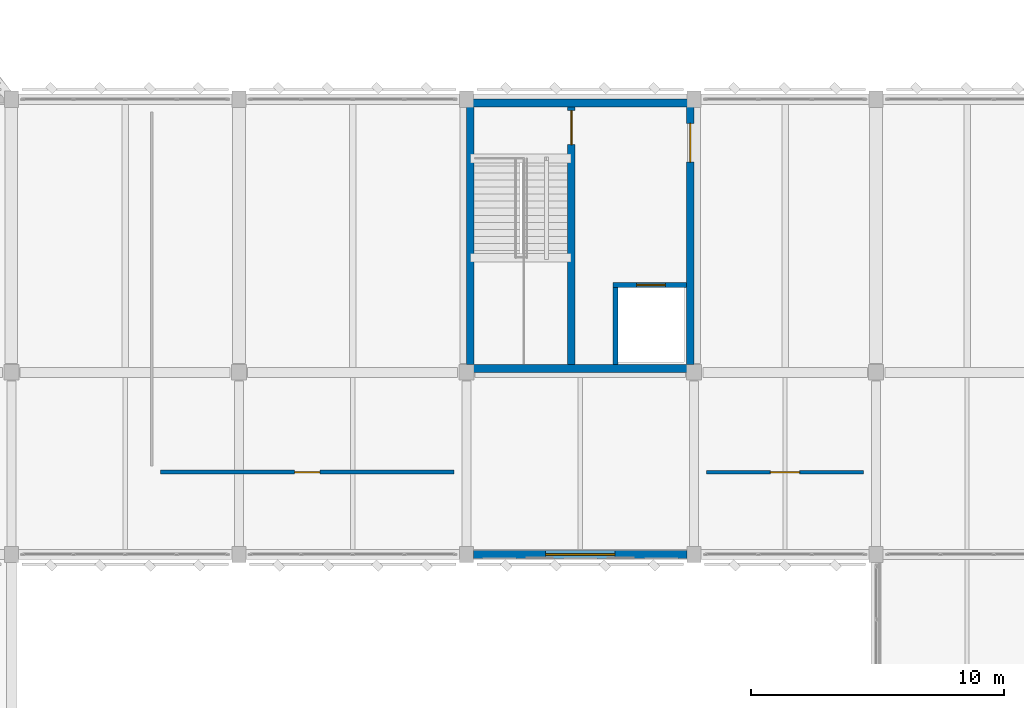
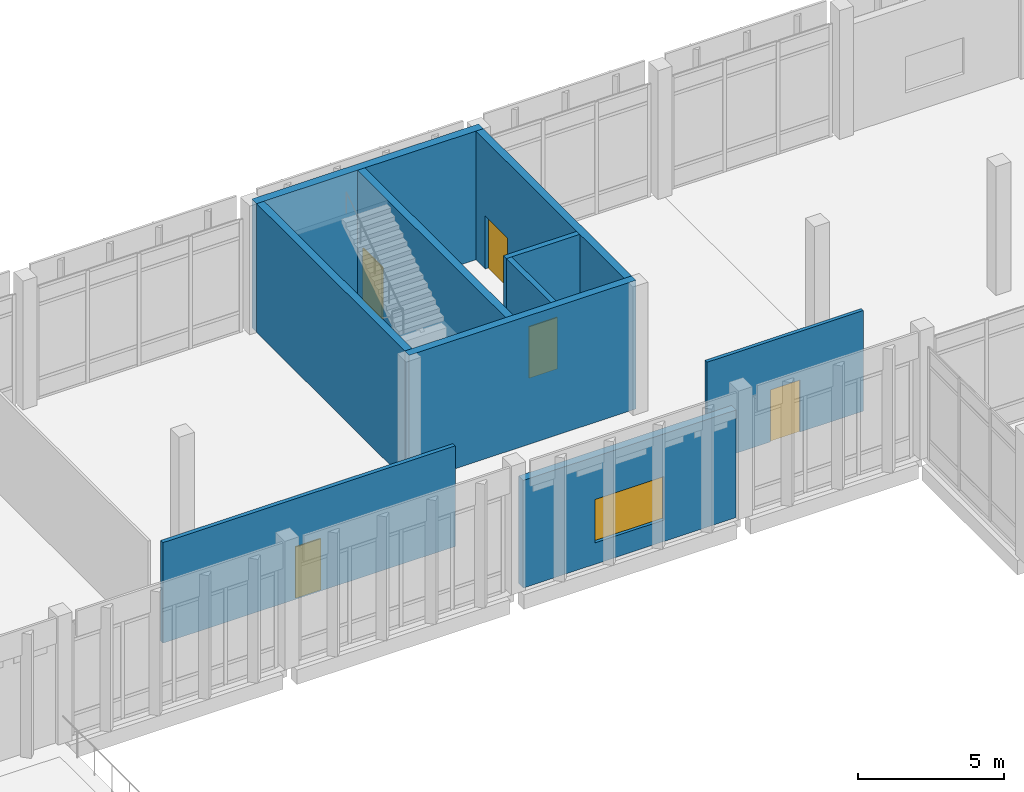
# One storey, part 160 of 180: 10 walls, 5 doors, 1 window, 6 openings.
"""IFC4 building model written with IfcOpenShell, lengths in metres."""

from ifc_helpers import new_model, si_unit, direction, frame, frame_2d, origin, place, context, subcontext, project, spatial, rectangle, extrude, material, layer, layer_set, type_object, element, fill, save


model = new_model("IFC4")

# Units and contexts
model_context = context("Model", 3, precision=1e-05, world=origin(), true_north=direction((0.0, 1.0)))
body_context = subcontext(model_context, "Body", "Model", "MODEL_VIEW")
ifc_project = project(units=[si_unit("LENGTHUNIT", "METRE"), si_unit("AREAUNIT", "SQUARE_METRE"), si_unit("VOLUMEUNIT", "CUBIC_METRE"), si_unit("PLANEANGLEUNIT", "RADIAN"), si_unit("MASSUNIT", "GRAM", prefix="KILO")], contexts=[model_context])

# Site, building, storey
site_placement = place(None, origin())
site = spatial("IfcSite", under=ifc_project, at=site_placement, CompositionType="ELEMENT")
building_placement = place(site_placement, origin())
building = spatial("IfcBuilding", under=site, at=building_placement, Name="Lusvemor Sports Hall", CompositionType="ELEMENT")
storey_placement = place(building_placement, frame((0.0, 0.0, 5.39990234375)))
storey = spatial("IfcBuildingStorey", under=building, at=storey_placement, Name="L01", CompositionType="ELEMENT", Elevation=5.39990234375)

# Wall, opening, window
ifc_material_1 = material(Name="Warm terracotta Art Nouveau ceramic cladding on Concrete C40/50 backing", Category="masonry")
ifc_layer_1 = layer(ifc_material_1, 0.31494140625)
ifc_layer_set_1 = layer_set([ifc_layer_1], Name="Warm terracotta Art Nouveau ceramic cladding on Concrete C40/50 backing")
wall_type_1 = type_object("IfcWallType", Name="EW_WING_CAV_315", PredefinedType="STANDARD", material=ifc_layer_set_1)
wall_1_placement = place(storey_placement, frame((111.323974609375, 97.199951171875, 0.0), z_axis=(0.0, 0.0, 1.0), x_axis=(-1.0, 0.0, 0.0)))
wall_1 = element("IfcWall", 1, at=wall_1_placement, inside=storey, type_object=wall_type_1, Name="Exterior Wall EW-L01-S-3-8", PredefinedType="STANDARD", context=body_context, shape_type="SweptSolid", body=[
    extrude(rectangle(XDim=8.447998046875, YDim=0.31494140625, at=frame_2d((4.22412109375, 0.0))), origin(), (0.0, 0.0, 1.0), 4.51513671875),
])
opening_1_placement = place(wall_1_placement, frame((2.85400390625, 0.0, 0.89990234375)))
opening_1 = element("IfcOpeningElement", 2, at=opening_1_placement, cuts=wall_1, Name="Opening WN20", PredefinedType="OPENING", context=body_context, shape_type="SweptSolid", body=[
    extrude(rectangle(XDim=2.739990234375, YDim=1.820068359375, at=frame_2d((1.3701171875, 0.91015625))), frame((0.0, 0.157470703125, 0.0), z_axis=(0.0, -1.0, 0.0), x_axis=(1.0, 0.0, 0.0)), (0.0, 0.0, 1.0), 0.31494140625),
])
ifc_material_2 = material(Name="Solar-control laminated double glazing", Category="glass")
window_type = type_object("IfcWindowType", Name="WIN_20", PartitioningType="SINGLE_PANEL", PredefinedType="WINDOW", material=ifc_material_2)
window_placement = place(opening_1_placement, origin())
window = element("IfcWindow", 3, at=window_placement, inside=storey, type_object=window_type, Name="Wing Window L01-S-3-8", OverallHeight=1.820068359375, OverallWidth=2.739990234375, PartitioningType="SINGLE_PANEL", PredefinedType="WINDOW", context=body_context, shape_type="SweptSolid", body=[
    extrude(rectangle(XDim=2.739990234375, YDim=1.820068359375, at=frame_2d((1.3701171875, 0.91015625))), frame((0.0, 0.030029296875, 0.0), z_axis=(0.0, -1.0, 0.0), x_axis=(1.0, 0.0, 0.0)), (0.0, 0.0, 1.0), 0.06005859375),
])
fill(opening_1, window)

# Wall, opening, door
ifc_material_3 = material(Name="Double-leaf acoustic gypsum board on metal studs")
ifc_layer_2 = layer(ifc_material_3, 0.139892578125)
ifc_layer_set_2 = layer_set([ifc_layer_2], Name="Double-leaf acoustic gypsum board on metal studs")
wall_type_2 = type_object("IfcWallType", Name="IW_PART_138", PredefinedType="STANDARD", material=ifc_layer_set_2)
wall_2_placement = place(storey_placement, frame((112.10009765625, 100.449951171875, 0.0), z_axis=(0.0, 0.0, 1.0), x_axis=(1.0, 0.0, 0.0)))
wall_2 = element("IfcWall", 4, at=wall_2_placement, inside=storey, type_object=wall_type_2, Name="Partition IW-L01-CNN-CLIN3", PredefinedType="STANDARD", context=body_context, shape_type="SweptSolid", body=[
    extrude(rectangle(XDim=6.199951171875, YDim=0.139892578125, at=frame_2d((3.10009765625, 0.0))), origin(), (0.0, 0.0, 1.0), 4.22021484375),
])
opening_2_placement = place(wall_2_placement, frame((2.52001953125, 0.0, 0.0)))
opening_2 = element("IfcOpeningElement", 5, at=opening_2_placement, cuts=wall_2, Name="Opening ID08", PredefinedType="OPENING", context=body_context, shape_type="SweptSolid", body=[
    extrude(rectangle(XDim=1.159912109375, YDim=2.179931640625, at=frame_2d((0.580078125, 1.08984375))), frame((0.0, 0.06982421875, 0.0), z_axis=(0.0, -1.0, 0.0), x_axis=(1.0, 0.0, 0.0)), (0.0, 0.0, 1.0), 0.139892578125),
])
ifc_material_4 = material(Name="Acoustic solid-core hardwood door leaf in steel frame", Category="steel")
door_type_1 = type_object("IfcDoorType", Name="IDR_CLINIC_116", OperationType="NOTDEFINED", PredefinedType="DOOR", material=ifc_material_4)
door_1_placement = place(opening_2_placement, origin())
door_1 = element("IfcDoor", 6, at=door_1_placement, inside=storey, type_object=door_type_1, Name="DR-183", OperationType="SINGLE_SWING_LEFT", OverallHeight=2.179931640625, OverallWidth=1.159912109375, PredefinedType="DOOR", context=body_context, shape_type="SweptSolid", body=[
    extrude(rectangle(XDim=1.159912109375, YDim=2.179931640625, at=frame_2d((0.580078125, 1.08984375))), frame((0.0, 0.02490234375, 0.0), z_axis=(0.0, -1.0, 0.0), x_axis=(1.0, 0.0, 0.0)), (0.0, 0.0, 1.0), 0.050048828125),
])
fill(opening_2, door_1)

ifc_material_5 = material(Name="Concrete C40/50", Category="concrete")
ifc_layer_3 = layer(ifc_material_5, 0.2099609375)
ifc_layer_set_3 = layer_set([ifc_layer_3], Name="Concrete C40/50")
wall_type_3 = type_object("IfcWallType", Name="IW_SHFT_212", PredefinedType="STANDARD", material=ifc_layer_set_3)
wall_3_placement = place(storey_placement, frame((108.389892578125, 107.85009765625, 0.0), z_axis=(0.0, 0.0, 1.0), x_axis=(1.0, 0.0, 0.0)))
wall_3 = element("IfcWall", 7, at=wall_3_placement, inside=storey, type_object=wall_type_3, Name="Lift LF-02 Shaft Front Wall (L01)", PredefinedType="STANDARD", context=body_context, shape_type="SweptSolid", body=[
    extrude(rectangle(XDim=2.91015625, YDim=0.2099609375, at=frame_2d((1.455078125, 0.0))), origin(), (0.0, 0.0, 1.0), 5.400146484375),
])
opening_3_placement = place(wall_3_placement, frame((0.93994140625, 0.0, 0.0)))
opening_3 = element("IfcOpeningElement", 8, at=opening_3_placement, cuts=wall_3, Name="Opening LD-01", PredefinedType="OPENING", context=body_context, shape_type="SweptSolid", body=[
    extrude(rectangle(XDim=1.139892578125, YDim=2.159912109375, at=frame_2d((0.56982421875, 1.080078125))), frame((0.0, 0.10498046875, 0.0), z_axis=(0.0, -1.0, 0.0), x_axis=(1.0, 0.0, 0.0)), (0.0, 0.0, 1.0), 0.2099609375),
])
ifc_material_6 = material(Name="Brushed stainless-steel sliding lift landing door", Category="steel")
door_type_2 = type_object("IfcDoorType", Name="LIFT_DOOR_FF_114", OperationType="NOTDEFINED", PredefinedType="DOOR", material=ifc_material_6)
door_2_placement = place(opening_3_placement, origin())
door_2 = element("IfcDoor", 9, at=door_2_placement, inside=storey, type_object=door_type_2, Name="DR-084", OperationType="SLIDING_TO_LEFT", OverallHeight=2.159912109375, OverallWidth=1.139892578125, PredefinedType="DOOR", context=body_context, shape_type="SweptSolid", body=[
    extrude(rectangle(XDim=1.139892578125, YDim=2.159912109375, at=frame_2d((0.56982421875, 1.080078125))), frame((0.0, 0.02490234375, 0.0), z_axis=(0.0, -1.0, 0.0), x_axis=(1.0, 0.0, 0.0)), (0.0, 0.0, 1.0), 0.050048828125),
])
fill(opening_3, door_2)

# Wall
wall_4_placement = place(storey_placement, frame((108.4951171875, 104.699951171875, 0.0), z_axis=(0.0, 0.0, 1.0), x_axis=(0.0, 1.0, 0.0)))
element("IfcWall", 10, at=wall_4_placement, inside=storey, type_object=wall_type_3, Name="Lift LF-02 Shaft Side Wall (L01)", PredefinedType="STANDARD", context=body_context, shape_type="SweptSolid", body=[
    extrude(rectangle(XDim=3.045166015625, YDim=0.2099609375, at=frame_2d((1.5224609375, 0.0))), origin(), (0.0, 0.0, 1.0), 5.400146484375),
])

# Wall, opening, door
ifc_material_7 = material(Name="Moisture-resistant tiled plumbing service wall")
ifc_layer_4 = layer(ifc_material_7, 0.159912109375)
ifc_layer_set_4 = layer_set([ifc_layer_4], Name="Moisture-resistant tiled plumbing service wall")
wall_type_4 = type_object("IfcWallType", Name="PW_WET_160", PredefinedType="PLUMBINGWALL", material=ifc_layer_set_4)
wall_5_placement = place(storey_placement, frame((90.5, 100.449951171875, 0.0), z_axis=(0.0, 0.0, 1.0), x_axis=(1.0, 0.0, 0.0)))
wall_5 = element("IfcWall", 11, at=wall_5_placement, inside=storey, type_object=wall_type_4, Name="Partition IW-L01-CNN-AWCN", PredefinedType="PLUMBINGWALL", context=body_context, shape_type="SweptSolid", body=[
    extrude(rectangle(XDim=11.60009765625, YDim=0.159912109375, at=frame_2d((5.800048828125, 0.0))), origin(), (0.0, 0.0, 1.0), 4.22021484375),
])
opening_4_placement = place(wall_5_placement, frame((5.300048828125, 0.0, 0.0)))
opening_4 = element("IfcOpeningElement", 12, at=opening_4_placement, cuts=wall_5, Name="Opening ID11", PredefinedType="OPENING", context=body_context, shape_type="SweptSolid", body=[
    extrude(rectangle(XDim=1.0, YDim=2.14990234375, at=frame_2d((0.5, 1.074951171875))), frame((0.0, 0.080078125, 0.0), z_axis=(0.0, -1.0, 0.0), x_axis=(1.0, 0.0, 0.0)), (0.0, 0.0, 1.0), 0.159912109375),
])
ifc_material_8 = material(Name="Acoustic solid-core hardwood door leaf in steel frame", Category="steel")
door_type_3 = type_object("IfcDoorType", Name="IDR_AWC_100", OperationType="NOTDEFINED", PredefinedType="DOOR", material=ifc_material_8)
door_3_placement = place(opening_4_placement, origin())
door_3 = element("IfcDoor", 13, at=door_3_placement, inside=storey, type_object=door_type_3, Name="DR-182", OperationType="SINGLE_SWING_RIGHT", OverallHeight=2.14990234375, OverallWidth=1.0, PredefinedType="DOOR", context=body_context, shape_type="SweptSolid", body=[
    extrude(rectangle(XDim=1.0, YDim=2.14990234375, at=frame_2d((0.5, 1.074951171875))), frame((0.0, 0.02490234375, 0.0), z_axis=(0.0, -1.0, 0.0), x_axis=(1.0, 0.0, 0.0)), (0.0, 0.0, 1.0), 0.050048828125),
])
fill(opening_4, door_3)

# Walls
ifc_material_9 = material(Name="Concrete C40/50", Category="concrete")
ifc_layer_5 = layer(ifc_material_9, 0.300048828125)
ifc_layer_set_5 = layer_set([ifc_layer_5], Name="Concrete C40/50")
wall_type_5 = type_object("IfcWallType", Name="WALL_CORE_300_INT", PredefinedType="SHEAR", material=ifc_layer_set_5)
wall_6_placement = place(storey_placement, frame((111.60009765625, 104.550048828125, 0.0), z_axis=(0.0, 0.0, 1.0), x_axis=(-1.0, 0.0, 0.0)))
element("IfcWall", 14, at=wall_6_placement, inside=storey, type_object=wall_type_5, Name="Core C4 North-Central Shear Wall S (L01)", PredefinedType="SHEAR", context=body_context, shape_type="SweptSolid", body=[
    extrude(rectangle(XDim=9.0, YDim=0.300048828125, at=frame_2d((4.5, 0.0))), origin(), (0.0, 0.0, 1.0), 5.400146484375),
])
wall_7_placement = place(storey_placement, frame((102.75, 104.699951171875, 0.0), z_axis=(0.0, 0.0, 1.0), x_axis=(0.0, 1.0, 0.0)))
element("IfcWall", 15, at=wall_7_placement, inside=storey, type_object=wall_type_5, Name="Core C4 North-Central Shear Wall W (L01)", PredefinedType="SHEAR", context=body_context, shape_type="SweptSolid", body=[
    extrude(rectangle(XDim=10.199951171875, YDim=0.300048828125, at=frame_2d((5.10009765625, 0.0))), origin(), (0.0, 0.0, 1.0), 5.400146484375),
])

# Wall, opening, door
wall_8_placement = place(storey_placement, frame((111.449951171875, 114.89990234375, 0.0), z_axis=(0.0, 0.0, 1.0), x_axis=(0.0, -1.0, 0.0)))
wall_8 = element("IfcWall", 16, at=wall_8_placement, inside=storey, type_object=wall_type_5, Name="Core C4 North-Central Shear Wall E (L01)", PredefinedType="SHEAR", context=body_context, shape_type="SweptSolid", body=[
    extrude(rectangle(XDim=10.199951171875, YDim=0.300048828125, at=frame_2d((5.10009765625, 0.0))), origin(), (0.0, 0.0, 1.0), 5.400146484375),
])
opening_5_placement = place(wall_8_placement, frame((0.64990234375, 0.0, 0.0)))
opening_5 = element("IfcOpeningElement", 17, at=opening_5_placement, cuts=wall_8, Name="Opening DR-FD60-01", PredefinedType="OPENING", context=body_context, shape_type="SweptSolid", body=[
    extrude(rectangle(XDim=1.5400390625, YDim=2.219970703125, at=frame_2d((0.77001953125, 1.10986328125))), frame((0.0, 0.14990234375, 0.0), z_axis=(0.0, -1.0, 0.0), x_axis=(1.0, 0.0, 0.0)), (0.0, 0.0, 1.0), 0.300048828125),
])
ifc_material_10 = material(Name="Fire-rated insulated painted steel door assembly", Category="steel")
door_type_4 = type_object("IfcDoorType", Name="IDR_LOBBY_FD60_154", OperationType="NOTDEFINED", PredefinedType="DOOR", material=ifc_material_10)
door_4_placement = place(opening_5_placement, origin())
door_4 = element("IfcDoor", 18, at=door_4_placement, inside=storey, type_object=door_type_4, Name="DR-091", OperationType="SINGLE_SWING_LEFT", OverallHeight=2.219970703125, OverallWidth=1.5400390625, PredefinedType="DOOR", context=body_context, shape_type="SweptSolid", body=[
    extrude(rectangle(XDim=1.5400390625, YDim=2.219970703125, at=frame_2d((0.77001953125, 1.10986328125))), frame((0.0, 0.02490234375, 0.0), z_axis=(0.0, -1.0, 0.0), x_axis=(1.0, 0.0, 0.0)), (0.0, 0.0, 1.0), 0.050048828125),
])
fill(opening_5, door_4)

wall_9_placement = place(storey_placement, frame((106.75, 104.699951171875, 0.0), z_axis=(0.0, 0.0, 1.0), x_axis=(0.0, 1.0, 0.0)))
wall_9 = element("IfcWall", 19, at=wall_9_placement, inside=storey, type_object=wall_type_5, Name="Core C4 North-Central Shear Wall M (L01)", PredefinedType="SHEAR", context=body_context, shape_type="SweptSolid", body=[
    extrude(rectangle(XDim=10.199951171875, YDim=0.300048828125, at=frame_2d((5.10009765625, 0.0))), origin(), (0.0, 0.0, 1.0), 5.400146484375),
])
opening_6_placement = place(wall_9_placement, frame((8.7099609375, 0.0, 0.0)))
opening_6 = element("IfcOpeningElement", 20, at=opening_6_placement, cuts=wall_9, Name="Opening DR-FD90-02", PredefinedType="OPENING", context=body_context, shape_type="SweptSolid", body=[
    extrude(rectangle(XDim=1.340087890625, YDim=2.179931640625, at=frame_2d((0.669921875, 1.08984375))), frame((0.0, 0.14990234375, 0.0), z_axis=(0.0, -1.0, 0.0), x_axis=(1.0, 0.0, 0.0)), (0.0, 0.0, 1.0), 0.300048828125),
])
ifc_material_11 = material(Name="Fire-rated insulated painted steel door assembly", Category="steel")
door_type_5 = type_object("IfcDoorType", Name="IDR_STAIR_FD90_134", OperationType="NOTDEFINED", PredefinedType="DOOR", material=ifc_material_11)
door_5_placement = place(opening_6_placement, origin())
door_5 = element("IfcDoor", 21, at=door_5_placement, inside=storey, type_object=door_type_5, Name="DR-090", OperationType="SINGLE_SWING_RIGHT", OverallHeight=2.179931640625, OverallWidth=1.340087890625, PredefinedType="DOOR", context=body_context, shape_type="SweptSolid", body=[
    extrude(rectangle(XDim=1.340087890625, YDim=2.179931640625, at=frame_2d((0.669921875, 1.08984375))), frame((0.0, 0.02490234375, 0.0), z_axis=(0.0, -1.0, 0.0), x_axis=(1.0, 0.0, 0.0)), (0.0, 0.0, 1.0), 0.050048828125),
])
fill(opening_6, door_5)

# Wall
ifc_material_12 = material(Name="Concrete C40/50", Category="concrete")
ifc_layer_6 = layer(ifc_material_12, 0.324951171875)
ifc_layer_set_6 = layer_set([ifc_layer_6], Name="Concrete C40/50")
wall_type_6 = type_object("IfcWallType", Name="WALL_CORE_325_EXT", PredefinedType="SHEAR", material=ifc_layer_set_6)
wall_10_placement = place(storey_placement, frame((102.60009765625, 115.050048828125, 0.0), z_axis=(0.0, 0.0, 1.0), x_axis=(1.0, 0.0, 0.0)))
element("IfcWall", 22, at=wall_10_placement, inside=storey, type_object=wall_type_6, Name="Core C4 North-Central Shear Wall N (L01)", PredefinedType="SHEAR", context=body_context, shape_type="SweptSolid", body=[
    extrude(rectangle(XDim=9.0, YDim=0.324951171875, at=frame_2d((4.5, 0.0))), origin(), (0.0, 0.0, 1.0), 5.400146484375),
])

save(model, "model.ifc")
